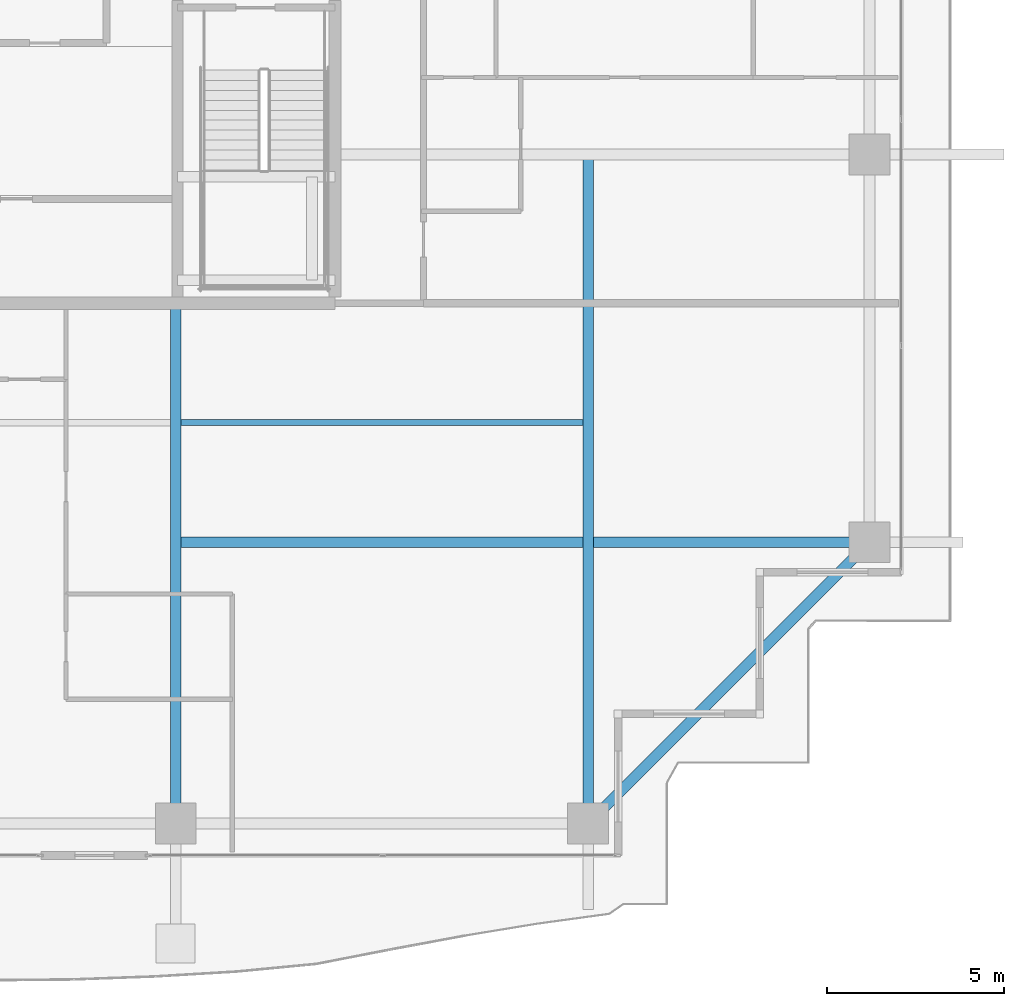
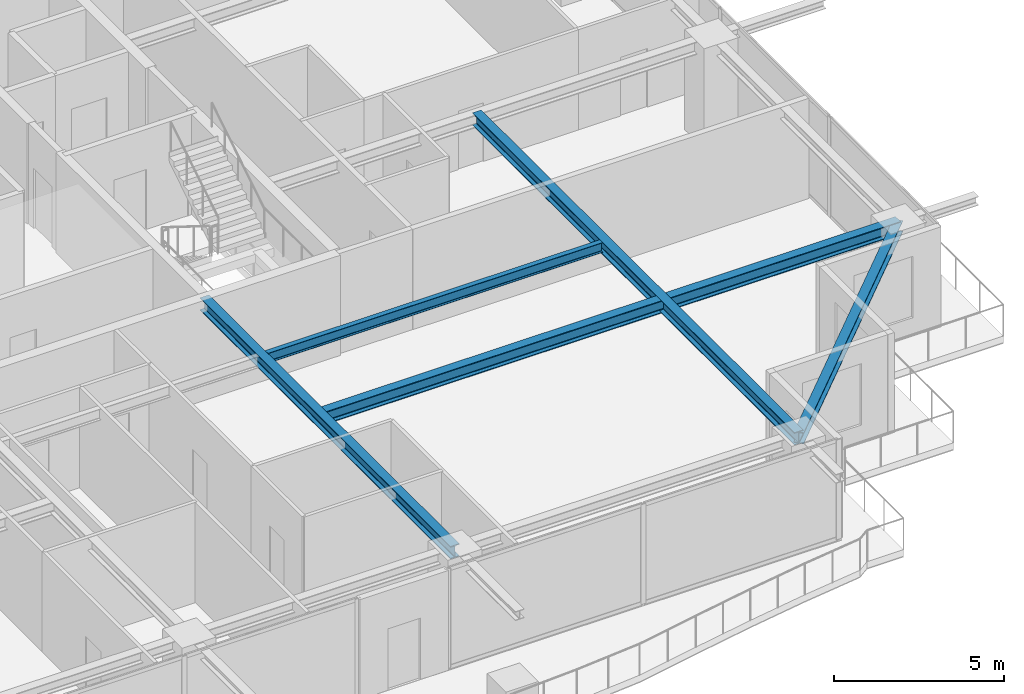
# One storey, part 13 of 36: 5 beams.
"""IFC4 building model written with IfcOpenShell, lengths in metres."""

from ifc_helpers import new_model, si_unit, direction, frame, origin, origin_2d, place, context, subcontext, project, spatial, i_section, extrude, source, transform, mapped, material, material_profile, profile_set, type_object, element, save


model = new_model("IFC4")

# Units and contexts
model_context = context("Model", 3, precision=1e-05, world=origin(), true_north=direction((0.0, 1.0)))
body_context = subcontext(model_context, "Body", "Model", "MODEL_VIEW")
ifc_project = project(units=[si_unit("LENGTHUNIT", "METRE"), si_unit("AREAUNIT", "SQUARE_METRE"), si_unit("VOLUMEUNIT", "CUBIC_METRE"), si_unit("PLANEANGLEUNIT", "RADIAN"), si_unit("MASSUNIT", "GRAM", prefix="KILO")], contexts=[model_context])

# Site, building, storey
site_placement = place(None, origin())
site = spatial("IfcSite", under=ifc_project, at=site_placement, CompositionType="ELEMENT")
building_placement = place(site_placement, origin())
building = spatial("IfcBuilding", under=site, at=building_placement, Name="Serunith Strait Residences", CompositionType="ELEMENT")
storey_placement = place(building_placement, frame((0.0, 0.0, 225.85009765625)))
storey = spatial("IfcBuildingStorey", under=building, at=storey_placement, Name="L56", CompositionType="ELEMENT", Elevation=225.85009765625)

# Beams
ifc_material = material(Name="Steel S355J2", Category="steel")
ifc_material_profile_1 = material_profile(ifc_material, i_section(OverallWidth=0.300048828125, OverallDepth=0.449951171875, WebThickness=0.013916015625, FlangeThickness=0.02587890625, FilletRadius=0.027099609375, at=origin_2d()), Name="HEB 450")
ifc_profile_set_1 = profile_set([ifc_material_profile_1], Name="Steel S355J2")
beam_type_1 = type_object("IfcBeamType", Name="BM-HEB450", PredefinedType="BEAM", material=ifc_profile_set_1)
shared_shape_1 = source(origin(), body_context, "Body", "SweptSolid", [
    extrude(i_section(OverallWidth=0.300048828125, OverallDepth=0.449951171875, WebThickness=0.013916015625, FlangeThickness=0.02587890625, FilletRadius=0.027099609375, at=origin_2d()), origin(), (0.0, 0.0, 1.0), 14.699951171875),
])
beam_1_placement = place(storey_placement, frame((36.89990234375, 16.800048828125, 3.36181640625), z_axis=(0.0, -1.0, 0.0), x_axis=(1.0, 0.0, 0.0)))
element("IfcBeam", 1, at=beam_1_placement, inside=storey, type_object=beam_type_1, Name="L56 Primary Floor Girder TC-S3", PredefinedType="BEAM", context=body_context, shape_type="MappedRepresentation", body=[
    mapped(shared_shape_1, transform((0.0, 0.0, 0.0), scale=1.0)),
])
shared_shape_2 = source(origin(), body_context, "Body", "SweptSolid", [
    extrude(i_section(OverallWidth=0.300048828125, OverallDepth=0.449951171875, WebThickness=0.013916015625, FlangeThickness=0.02587890625, FilletRadius=0.027099609375, at=origin_2d()), origin(), (0.0, 0.0, 1.0), 18.89990234375),
])
beam_2_placement = place(storey_placement, frame((48.550048828125, 21.0, 3.36181640625), z_axis=(0.0, -1.0, 0.0), x_axis=(1.0, 0.0, 0.0)))
element("IfcBeam", 2, at=beam_2_placement, inside=storey, type_object=beam_type_1, Name="L56 Orthogonal Corner Girder TC-S4", PredefinedType="BEAM", context=body_context, shape_type="MappedRepresentation", body=[
    mapped(shared_shape_2, transform((0.0, 0.0, 0.0), scale=1.0)),
])
shared_shape_3 = source(origin(), body_context, "Body", "SweptSolid", [
    extrude(i_section(OverallWidth=0.300048828125, OverallDepth=0.449951171875, WebThickness=0.013916015625, FlangeThickness=0.02587890625, FilletRadius=0.027099609375, at=origin_2d()), origin(), (0.0, 0.0, 1.0), 19.60009765625),
])
beam_3_placement = place(storey_placement, frame((36.89990234375, 10.050048828125, 3.36181640625), z_axis=(1.0, 0.0, 0.0), x_axis=(0.0, 1.0, 0.0)))
element("IfcBeam", 3, at=beam_3_placement, inside=storey, type_object=beam_type_1, Name="L56 Orthogonal Corner Girder TC-E1", PredefinedType="BEAM", context=body_context, shape_type="MappedRepresentation", body=[
    mapped(shared_shape_3, transform((0.0, 0.0, 0.0), scale=1.0)),
])
ifc_material_profile_2 = material_profile(ifc_material, i_section(OverallWidth=0.300048828125, OverallDepth=0.39990234375, WebThickness=0.013427734375, FlangeThickness=0.02392578125, FilletRadius=0.027099609375, at=origin_2d()), Name="HEB 400")
ifc_profile_set_2 = profile_set([ifc_material_profile_2], Name="Steel S355J2")
beam_type_2 = type_object("IfcBeamType", Name="BM-HEB400", PredefinedType="BEAM", material=ifc_profile_set_2)
shared_shape_4 = source(origin(), body_context, "Body", "SweptSolid", [
    extrude(i_section(OverallWidth=0.300048828125, OverallDepth=0.39990234375, WebThickness=0.013427734375, FlangeThickness=0.02392578125, FilletRadius=0.027099609375, at=origin_2d()), origin(), (0.0, 0.0, 1.0), 11.242919921875),
])
beam_4_placement = place(storey_placement, frame((48.550048828125, 2.10009765625, 3.35693359375), z_axis=(0.707106781187, 0.707106781187, 0.0), x_axis=(-0.707106781187, 0.707106781187, 0.0)))
element("IfcBeam", 4, at=beam_4_placement, inside=storey, type_object=beam_type_2, Name="L56 Perimeter Ring Beam 04", PredefinedType="BEAM", context=body_context, shape_type="MappedRepresentation", body=[
    mapped(shared_shape_4, transform((0.0, 0.0, 0.0), scale=1.0)),
])
ifc_material_profile_3 = material_profile(ifc_material, i_section(OverallWidth=0.169921875, OverallDepth=0.360107421875, WebThickness=0.008056640625, FlangeThickness=0.0126953125, FilletRadius=0.01806640625, at=origin_2d()), Name="IPE 360")
ifc_profile_set_3 = profile_set([ifc_material_profile_3], Name="Steel S355J2")
beam_type_3 = type_object("IfcBeamType", Name="BM-IPE360", PredefinedType="JOIST", material=ifc_profile_set_3)
shared_shape_5 = source(origin(), body_context, "Body", "SweptSolid", [
    extrude(i_section(OverallWidth=0.169921875, OverallDepth=0.360107421875, WebThickness=0.008056640625, FlangeThickness=0.0126953125, FilletRadius=0.01806640625, at=origin_2d()), origin(), (0.0, 0.0, 1.0), 11.349853515625),
])
beam_5_placement = place(storey_placement, frame((37.050048828125, 13.425048828125, 3.406982421875), z_axis=(1.0, 0.0, 0.0), x_axis=(0.0, 1.0, 0.0)))
element("IfcBeam", 5, at=beam_5_placement, inside=storey, type_object=beam_type_3, Name="L56 Composite Floor Joist 03", PredefinedType="JOIST", context=body_context, shape_type="MappedRepresentation", body=[
    mapped(shared_shape_5, transform((0.0, 0.0, 0.0), scale=1.0)),
])

save(model, "model.ifc")
